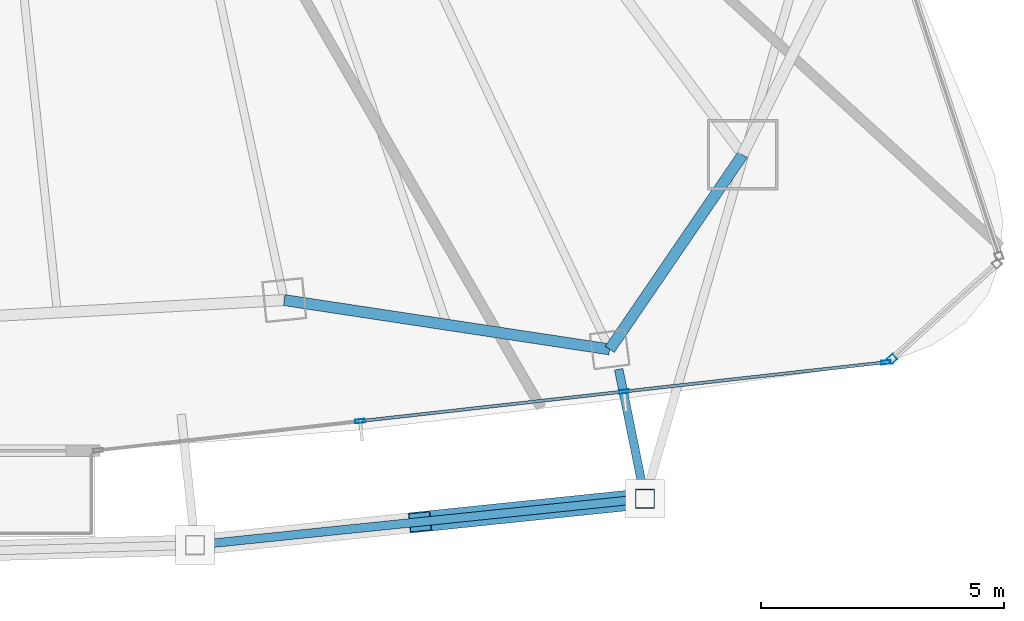
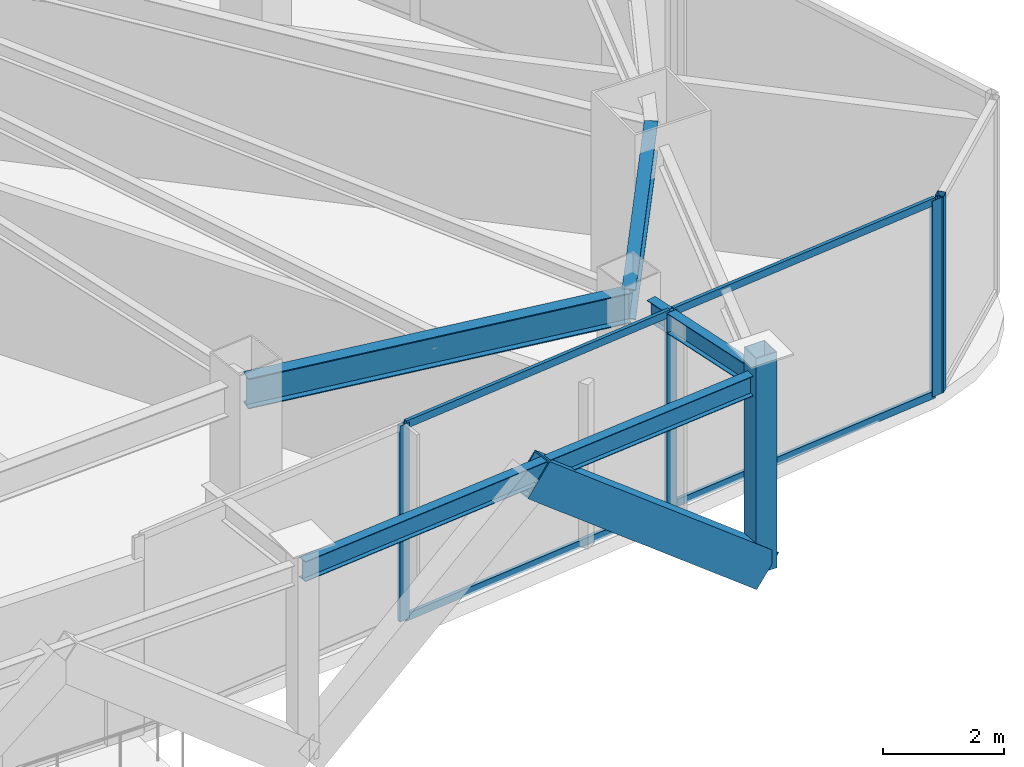
# One storey, part 12 of 27: 10 members, 4 beams, 2 elements without a shape of their own.
"""IFC4 building model written with IfcOpenShell, lengths in metres."""

from ifc_helpers import new_model, si_unit, direction, frame, origin, origin_2d, place, context, subcontext, project, spatial, hollow_rectangle, i_section, extrude, material, layer, layer_set, material_profile, profile_set, type_object, element, aggregate, save


model = new_model("IFC4")

# Units and contexts
model_context = context("Model", 3, precision=1e-05, world=origin(), true_north=direction((0.0, 1.0)))
body_context = subcontext(model_context, "Body", "Model", "MODEL_VIEW")
ifc_project = project(units=[si_unit("LENGTHUNIT", "METRE"), si_unit("AREAUNIT", "SQUARE_METRE"), si_unit("VOLUMEUNIT", "CUBIC_METRE"), si_unit("PLANEANGLEUNIT", "RADIAN"), si_unit("MASSUNIT", "GRAM", prefix="KILO")], contexts=[model_context])

# Site, building, storey
site_placement = place(None, origin())
site = spatial("IfcSite", under=ifc_project, at=site_placement, CompositionType="ELEMENT")
building_placement = place(site_placement, origin())
building = spatial("IfcBuilding", under=site, at=building_placement, Name="Orvanel Arch Residences", CompositionType="ELEMENT")
storey_placement = place(building_placement, frame((0.0, 0.0, 186.949951171875)))
storey = spatial("IfcBuildingStorey", under=building, at=storey_placement, Name="L53", CompositionType="ELEMENT", Elevation=186.949951171875)

# Member
ifc_material_1 = material(Name="Structural steel AS/NZS 3678 Grade 350", Category="steel")
ifc_material_profile_1 = material_profile(ifc_material_1, hollow_rectangle(XDim=0.419921875, YDim=0.719970703125, WallThickness=0.02490234375, at=origin_2d()), Name="RHS720x420x25")
ifc_profile_set_1 = profile_set([ifc_material_profile_1], Name="Structural steel AS/NZS 3678 Grade 350")
member_type_1 = type_object("IfcMemberType", Name="BR-720RHS-EXT", PredefinedType="BRACE", material=ifc_profile_set_1)
member_1_placement = place(storey_placement, frame((49.787109375, 3.260986328125, 0.0), z_axis=(-0.775384089362, -0.07991378287, 0.626413043664), x_axis=(0.102520428495, -0.994730899159, 0.0)))
element("IfcMember", 1, at=member_1_placement, inside=storey, type_object=member_type_1, Name="L53 Exterior Sky-Garden V-Frame Chevron F2B3.2", PredefinedType="BRACE", context=body_context, shape_type="SweptSolid", body=[
    extrude(hollow_rectangle(XDim=0.419921875, YDim=0.719970703125, WallThickness=0.02490234375, at=origin_2d()), origin(), (0.0, 0.0, 1.0), 5.981689453125),
])

# Curtain wall, member
ifc_material_2 = material(Name="Bronze-anodised aluminium AA6063-T6", Category="aluminium")
ifc_layer_1 = layer(ifc_material_2, 0.18994140625)
ifc_layer_set_1 = layer_set([ifc_layer_1], Name="Bronze-anodised aluminium AA6063-T6")
curtain_wall_type_1 = type_object("IfcCurtainWallType", Name="CW5-CRN-SYS", PredefinedType="NOTDEFINED", material=ifc_layer_set_1)
curtain_wall_1_placement = place(storey_placement, origin())
curtain_wall_1 = element("IfcCurtainWall", 2, at=curtain_wall_1_placement, inside=storey, type_object=curtain_wall_type_1, Name="L53 CW5-CRN-SYS Unitised Curtain Wall", PredefinedType="NOTDEFINED")
ifc_material_profile_2 = material_profile(ifc_material_2, hollow_rectangle(XDim=0.14990234375, YDim=0.14990234375, WallThickness=0.0048828125, at=origin_2d()), Name="ALU150x150x5")
ifc_profile_set_2 = profile_set([ifc_material_profile_2], Name="Bronze-anodised aluminium AA6063-T6")
member_type_2 = type_object("IfcMemberType", Name="MUL-150x150", PredefinedType="MULLION", material=ifc_profile_set_2)
member_2_placement = place(storey_placement, frame((54.884521484375, 6.14453125, 0.0), z_axis=(0.0, 0.0, 1.0), x_axis=(-0.67239695897, 0.74019073864, 0.0)))
member_2 = element("IfcMember", 3, at=member_2_placement, type_object=member_type_2, Name="CW-S5 mullion 1", PredefinedType="MULLION", context=body_context, shape_type="SweptSolid", body=[
    extrude(hollow_rectangle(XDim=0.14990234375, YDim=0.14990234375, WallThickness=0.0048828125, at=origin_2d()), origin(), (0.0, 0.0, 1.0), 3.949951171875),
])
aggregate(curtain_wall_1, [member_2])

# Curtain wall, members
ifc_layer_2 = layer(ifc_material_2, 0.195068359375)
ifc_layer_set_2 = layer_set([ifc_layer_2], Name="Bronze-anodised aluminium AA6063-T6")
curtain_wall_type_2 = type_object("IfcCurtainWallType", Name="CW6-COM-SYS", PredefinedType="NOTDEFINED", material=ifc_layer_set_2)
curtain_wall_2_placement = place(storey_placement, origin())
curtain_wall_2 = element("IfcCurtainWall", 4, at=curtain_wall_2_placement, inside=storey, type_object=curtain_wall_type_2, Name="L53 CW6-COM-SYS Unitised Curtain Wall", PredefinedType="NOTDEFINED")
ifc_material_profile_3 = material_profile(ifc_material_2, hollow_rectangle(XDim=0.074951171875, YDim=0.199951171875, WallThickness=0.0048828125, at=origin_2d()), Name="ALU200x75x5")
ifc_profile_set_3 = profile_set([ifc_material_profile_3], Name="Bronze-anodised aluminium AA6063-T6")
member_type_3 = type_object("IfcMemberType", Name="MUL-200x75", PredefinedType="MULLION", material=ifc_profile_set_3)
member_3_placement = place(storey_placement, frame((43.913330078125, 4.8603515625, 0.0), z_axis=(0.0, 0.0, 1.0), x_axis=(-0.111306962965, 0.993786073557, 0.0)))
member_3 = element("IfcMember", 5, at=member_3_placement, type_object=member_type_3, Name="CW-S6 mullion 2", PredefinedType="MULLION", context=body_context, shape_type="SweptSolid", body=[
    extrude(hollow_rectangle(XDim=0.074951171875, YDim=0.199951171875, WallThickness=0.0048828125, at=origin_2d()), origin(), (0.0, 0.0, 1.0), 3.949951171875),
])
member_4_placement = place(storey_placement, frame((49.353759765625, 5.4697265625, 0.0), z_axis=(0.0, 0.0, 1.0), x_axis=(-0.111306962965, 0.993786073557, 0.0)))
member_4 = element("IfcMember", 6, at=member_4_placement, type_object=member_type_3, Name="CW-S6 mullion 3", PredefinedType="MULLION", context=body_context, shape_type="SweptSolid", body=[
    extrude(hollow_rectangle(XDim=0.074951171875, YDim=0.199951171875, WallThickness=0.0048828125, at=origin_2d()), origin(), (0.0, 0.0, 1.0), 3.949951171875),
])
member_5_placement = place(storey_placement, frame((54.7568359375, 6.07470703125, 0.0), z_axis=(0.0, 0.0, 1.0), x_axis=(-0.111306962965, 0.993786073557, 0.0)))
member_5 = element("IfcMember", 7, at=member_5_placement, type_object=member_type_3, Name="CW-S6 mullion 4", PredefinedType="MULLION", context=body_context, shape_type="SweptSolid", body=[
    extrude(hollow_rectangle(XDim=0.074951171875, YDim=0.199951171875, WallThickness=0.0048828125, at=origin_2d()), origin(), (0.0, 0.0, 1.0), 3.949951171875),
])

# Beams
ifc_material_3 = material(Name="Structural steel AS/NZS 3679.1 Grade 300 (300 MPa)", Category="steel")
ifc_material_profile_4 = material_profile(ifc_material_3, i_section(OverallWidth=0.177978515625, OverallDepth=0.406005859375, WebThickness=0.0078125, FlangeThickness=0.0126953125, at=origin_2d()), Name="410UB59.7")
ifc_profile_set_4 = profile_set([ifc_material_profile_4], Name="Structural steel AS/NZS 3679.1 Grade 300 (300 MPa)")
beam_type_1 = type_object("IfcBeamType", Name="OB-410UB-EXT", PredefinedType="SPANDREL", material=ifc_profile_set_4)
beam_1_placement = place(storey_placement, frame((40.510986328125, 2.304931640625, 3.7470703125), z_axis=(0.994730623986, 0.102523098395, 0.0), x_axis=(-0.102523098395, 0.994730623986, 0.0)))
element("IfcBeam", 8, at=beam_1_placement, inside=storey, type_object=beam_type_1, Name="L53 Outer Perimeter Floor Ring Beam 07", PredefinedType="SPANDREL", context=body_context, shape_type="SweptSolid", body=[
    extrude(i_section(OverallWidth=0.177978515625, OverallDepth=0.406005859375, WebThickness=0.0078125, FlangeThickness=0.0126953125, at=origin_2d()), origin(), (0.0, 0.0, 1.0), 9.3251953125),
])
beam_2_placement = place(storey_placement, frame((49.2451171875, 5.930908203125, 3.7470703125), z_axis=(0.198941587022, -0.9800113494, 0.0), x_axis=(0.9800113494, 0.198941587022, 0.0)))
element("IfcBeam", 9, at=beam_2_placement, inside=storey, type_object=beam_type_1, Name="L53 Outer Frame Radial Tie Beam 08", PredefinedType="SPANDREL", context=body_context, shape_type="SweptSolid", body=[
    extrude(i_section(OverallWidth=0.177978515625, OverallDepth=0.406005859375, WebThickness=0.0078125, FlangeThickness=0.0126953125, at=origin_2d()), origin(), (0.0, 0.0, 1.0), 2.724365234375),
])
ifc_material_profile_5 = material_profile(ifc_material_3, i_section(OverallWidth=0.22900390625, OverallDepth=0.612060546875, WebThickness=0.011962890625, FlangeThickness=0.01953125, at=origin_2d()), Name="610UB125")
ifc_profile_set_5 = profile_set([ifc_material_profile_5], Name="Structural steel AS/NZS 3679.1 Grade 300 (300 MPa)")
beam_type_2 = type_object("IfcBeamType", Name="SP-610UB", PredefinedType="SPANDREL", material=ifc_profile_set_5)
beam_3_placement = place(storey_placement, frame((42.35107421875, 7.35498046875, 3.64404296875), z_axis=(0.988726323014, -0.149733958002, 0.0), x_axis=(0.149733958002, 0.988726323014, 0.0)))
element("IfcBeam", 10, at=beam_3_placement, inside=storey, type_object=beam_type_2, Name="L53 Perimeter Spandrel Beam 07", PredefinedType="SPANDREL", context=body_context, shape_type="SweptSolid", body=[
    extrude(i_section(OverallWidth=0.22900390625, OverallDepth=0.612060546875, WebThickness=0.011962890625, FlangeThickness=0.01953125, at=origin_2d()), origin(), (0.0, 0.0, 1.0), 6.784423828125),
])
beam_4_placement = place(storey_placement, frame((49.05908203125, 6.339111328125, 3.64404296875), z_axis=(0.564251579852, 0.825602903722, 0.0), x_axis=(-0.825602903722, 0.564251579852, 0.0)))
element("IfcBeam", 11, at=beam_4_placement, inside=storey, type_object=beam_type_2, Name="L53 Perimeter Spandrel Beam 08", PredefinedType="SPANDREL", context=body_context, shape_type="SweptSolid", body=[
    extrude(i_section(OverallWidth=0.22900390625, OverallDepth=0.612060546875, WebThickness=0.011962890625, FlangeThickness=0.01953125, at=origin_2d()), origin(), (0.0, 0.0, 1.0), 4.859375),
])

# Member
ifc_material_4 = material(Name="Structural steel AS/NZS 1163 C450L0 (Grade 450)", Category="steel")
ifc_material_profile_6 = material_profile(ifc_material_4, hollow_rectangle(XDim=0.39990234375, YDim=0.39990234375, WallThickness=0.01611328125, at=origin_2d()), Name="SHS400x400x16")
ifc_profile_set_6 = profile_set([ifc_material_profile_6], Name="Structural steel AS/NZS 1163 C450L0 (Grade 450)")
member_type_4 = type_object("IfcMemberType", Name="ST-400SHS-EXT", PredefinedType="STRUT", material=ifc_profile_set_6)
member_6_placement = place(storey_placement, frame((49.787109375, 3.260986328125, 0.0), z_axis=(0.0, 0.0, 1.0), x_axis=(1.0, 0.0, 0.0)))
element("IfcMember", 12, at=member_6_placement, inside=storey, type_object=member_type_4, Name="L53 Outer Perimeter Frame Post 08", PredefinedType="STRUT", context=body_context, shape_type="SweptSolid", body=[
    extrude(hollow_rectangle(XDim=0.39990234375, YDim=0.39990234375, WallThickness=0.01611328125, at=origin_2d()), origin(), (0.0, 0.0, 1.0), 4.35009765625),
])

ifc_material_profile_7 = material_profile(ifc_material_2, hollow_rectangle(XDim=0.06494140625, YDim=0.14990234375, WallThickness=0.00390625, at=origin_2d()), Name="ALU150x65x4")
ifc_profile_set_7 = profile_set([ifc_material_profile_7], Name="Bronze-anodised aluminium AA6063-T6")
member_type_5 = type_object("IfcMemberType", Name="TRN-150x65", PredefinedType="USERDEFINED", material=ifc_profile_set_7)
member_7_placement = place(storey_placement, frame((43.95068359375, 4.864501953125, 0.032470703125), z_axis=(0.993784075898, 0.111324797291, 0.0), x_axis=(-0.111324797291, 0.993784075898, 0.0)))
member_7 = element("IfcMember", 13, at=member_7_placement, type_object=member_type_5, Name="CW-S6 transom 2.1", ObjectType="TRANSOM", PredefinedType="USERDEFINED", context=body_context, shape_type="SweptSolid", body=[
    extrude(hollow_rectangle(XDim=0.06494140625, YDim=0.14990234375, WallThickness=0.00390625, at=origin_2d()), origin(), (0.0, 0.0, 1.0), 5.399169921875),
])

member_8_placement = place(storey_placement, frame((43.95068359375, 4.864501953125, 3.91748046875), z_axis=(0.993784075898, 0.111324797291, 0.0), x_axis=(-0.111324797291, 0.993784075898, 0.0)))
member_8 = element("IfcMember", 14, at=member_8_placement, type_object=member_type_5, Name="CW-S6 transom 2.2", ObjectType="TRANSOM", PredefinedType="USERDEFINED", context=body_context, shape_type="SweptSolid", body=[
    extrude(hollow_rectangle(XDim=0.06494140625, YDim=0.14990234375, WallThickness=0.00390625, at=origin_2d()), origin(), (0.0, 0.0, 1.0), 5.399169921875),
])

member_9_placement = place(storey_placement, frame((49.390869140625, 5.473876953125, 0.032470703125), z_axis=(0.993788975244, 0.111281052666, 0.0), x_axis=(-0.111281052666, 0.993788975244, 0.0)))
member_9 = element("IfcMember", 15, at=member_9_placement, type_object=member_type_5, Name="CW-S6 transom 3.1", ObjectType="TRANSOM", PredefinedType="USERDEFINED", context=body_context, shape_type="SweptSolid", body=[
    extrude(hollow_rectangle(XDim=0.06494140625, YDim=0.14990234375, WallThickness=0.00390625, at=origin_2d()), origin(), (0.0, 0.0, 1.0), 5.36181640625),
])

member_10_placement = place(storey_placement, frame((49.390869140625, 5.473876953125, 3.91748046875), z_axis=(0.993788975244, 0.111281052666, 0.0), x_axis=(-0.111281052666, 0.993788975244, 0.0)))
member_10 = element("IfcMember", 16, at=member_10_placement, type_object=member_type_5, Name="CW-S6 transom 3.2", ObjectType="TRANSOM", PredefinedType="USERDEFINED", context=body_context, shape_type="SweptSolid", body=[
    extrude(hollow_rectangle(XDim=0.06494140625, YDim=0.14990234375, WallThickness=0.00390625, at=origin_2d()), origin(), (0.0, 0.0, 1.0), 5.36181640625),
])

aggregate(curtain_wall_2, [member_3, member_4, member_5, member_7, member_8, member_9, member_10])

save(model, "model.ifc")
